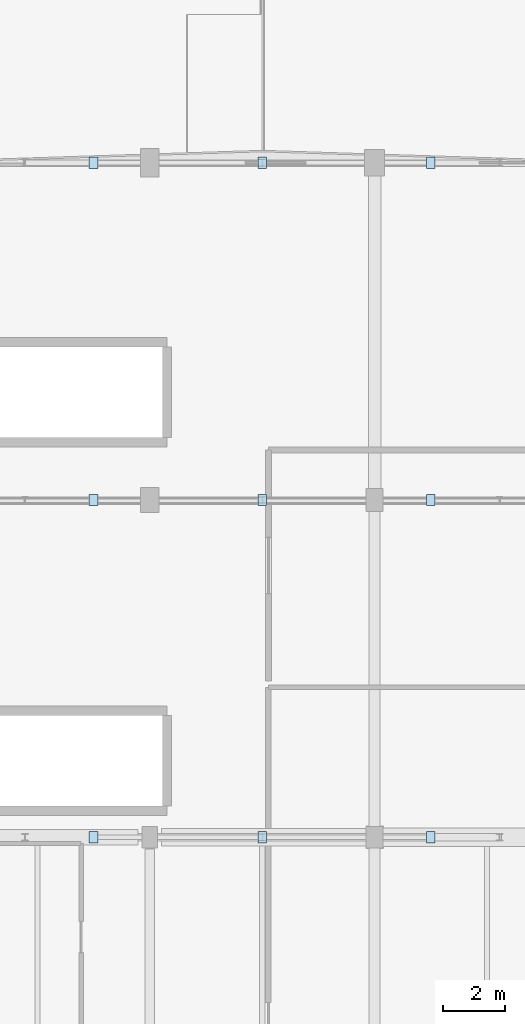
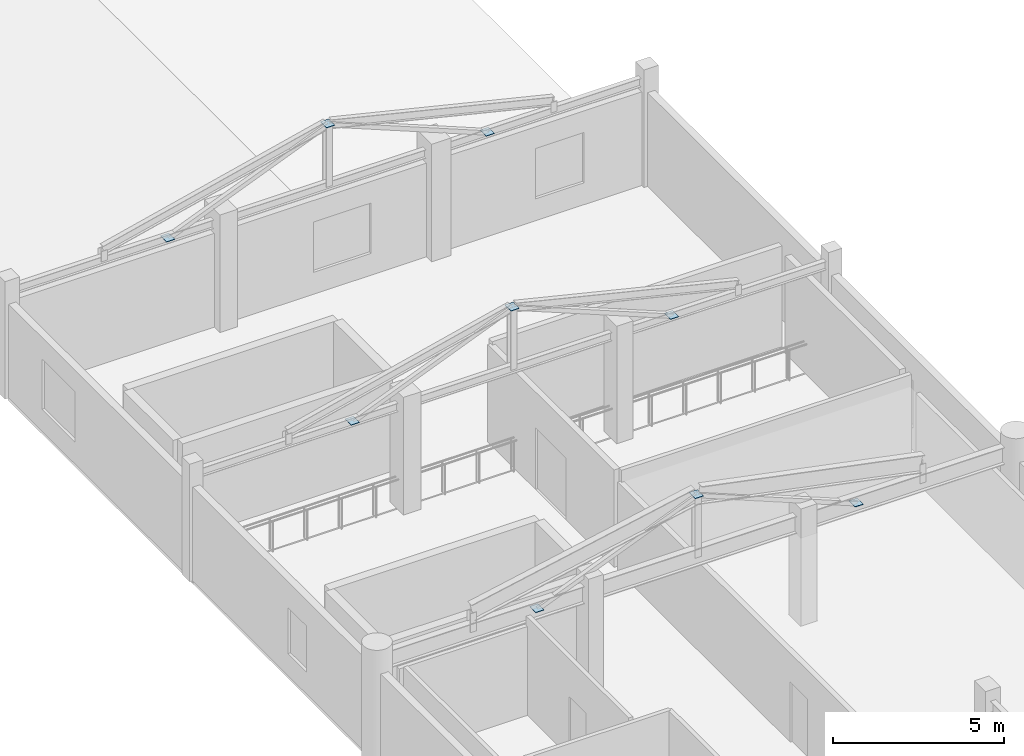
# One storey, part 32 of 41: 9 plates.
"""IFC4 building model written with IfcOpenShell, lengths in metres."""

from ifc_helpers import new_model, si_unit, direction, frame, origin, origin_2d, place, context, subcontext, project, spatial, rectangle, extrude, material, layer, layer_set, type_object, element, save


model = new_model("IFC4")

# Units and contexts
model_context = context("Model", 3, precision=1e-05, world=origin(), true_north=direction((0.0, 1.0)))
body_context = subcontext(model_context, "Body", "Model", "MODEL_VIEW")
ifc_project = project(units=[si_unit("LENGTHUNIT", "METRE"), si_unit("AREAUNIT", "SQUARE_METRE"), si_unit("VOLUMEUNIT", "CUBIC_METRE"), si_unit("PLANEANGLEUNIT", "RADIAN"), si_unit("MASSUNIT", "GRAM", prefix="KILO")], contexts=[model_context])

# Site, building, storey
site_placement = place(None, origin())
site = spatial("IfcSite", under=ifc_project, at=site_placement, CompositionType="ELEMENT")
building_placement = place(site_placement, origin())
building = spatial("IfcBuilding", under=site, at=building_placement, Name="Solanera Park Tramway Depot", CompositionType="ELEMENT")
storey_placement = place(building_placement, frame((0.0, 0.0, 13.199951171875)))
storey = spatial("IfcBuildingStorey", under=building, at=storey_placement, Name="L03", CompositionType="ELEMENT", Elevation=13.199951171875)

# Plates
ifc_material = material(Name="Steel AS/NZS 3679.1 Grade 350", Category="steel")
ifc_layer = layer(ifc_material, 0.01806640625)
ifc_layer_set = layer_set([ifc_layer], Name="Steel AS/NZS 3679.1 Grade 350")
plate_type = type_object("IfcPlateType", Name="Hollow End Cap and Base Plate 360x280x18", PredefinedType="USERDEFINED", material=ifc_layer_set)
for number, where, z_axis, x_axis, name in (
    (1, (171.0, 43.199951171875, 3.485107421875), (0.0, 0.0, 1.0), (1.0, 0.0, 0.0), "Hip Truss Web Sealed Cap Plate #1140"),
    (2, (176.39990234375, 43.199951171875, 5.672607421875), (0.0, 0.0, 1.0), (1.0, 0.0, 0.0), "Hip Truss Web Sealed Cap Plate #1141"),
    (3, (181.800048828125, 43.199951171875, 3.485107421875), (0.0, 0.0, 1.0), (1.0, 0.0, 0.0), "Hip Truss Web Sealed Cap Plate #1142"),
    (4, (171.0, 54.0, 3.63916015625), (0.0, 0.0, 1.0), (1.0, 0.0, 0.0), "Hip Truss Web Sealed Cap Plate #1143"),
    (5, (176.39990234375, 54.0, 5.826416015625), (0.0, 0.0, 1.0), (1.0, 0.0, 0.0), "Hip Truss Web Sealed Cap Plate #1144"),
    (6, (181.800048828125, 54.0, 3.63916015625), (0.0, 0.0, 1.0), (1.0, 0.0, 0.0), "Hip Truss Web Sealed Cap Plate #1145"),
    (7, (171.0, 64.800048828125, 3.637451171875), (0.0, 0.0, 1.0), (1.0, 0.0, 0.0), "Hip Truss Web Sealed Cap Plate #1146"),
    (8, (176.39990234375, 64.800048828125, 5.82470703125), (0.0, 0.0, 1.0), (1.0, 0.0, 0.0), "Hip Truss Web Sealed Cap Plate #1147"),
    (9, (181.800048828125, 64.800048828125, 3.637451171875), (0.0, 0.0, 1.0), (1.0, 0.0, 0.0), "Hip Truss Web Sealed Cap Plate #1148"),
):
    element("IfcPlate", number, at=place(storey_placement, frame(where, z_axis=z_axis, x_axis=x_axis)), inside=storey, type_object=plate_type, Name=name, ObjectType="BASE PLATE", PredefinedType="USERDEFINED", context=body_context, shape_type="SweptSolid", body=[
        extrude(rectangle(XDim=0.280029296875, YDim=0.360107421875, at=origin_2d()), origin(), (0.0, 0.0, 1.0), 0.01806640625),
    ])

save(model, "model.ifc")
